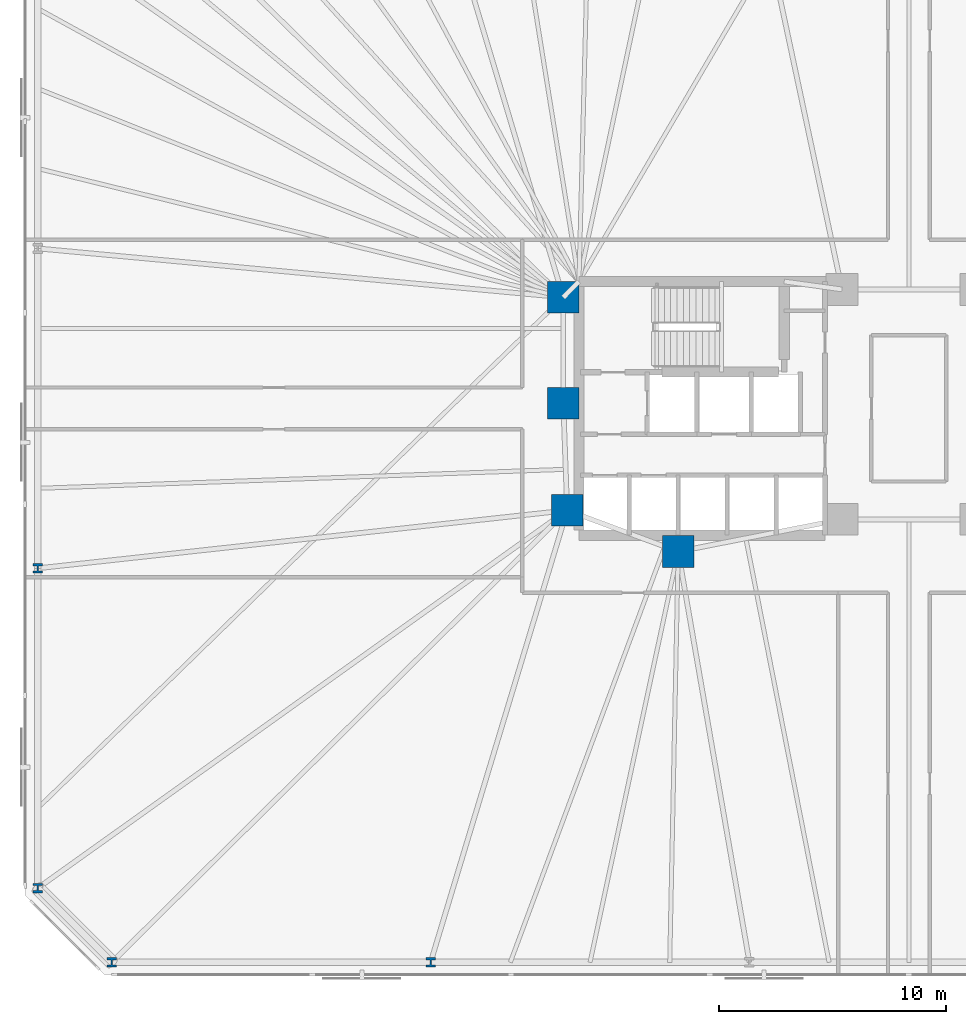
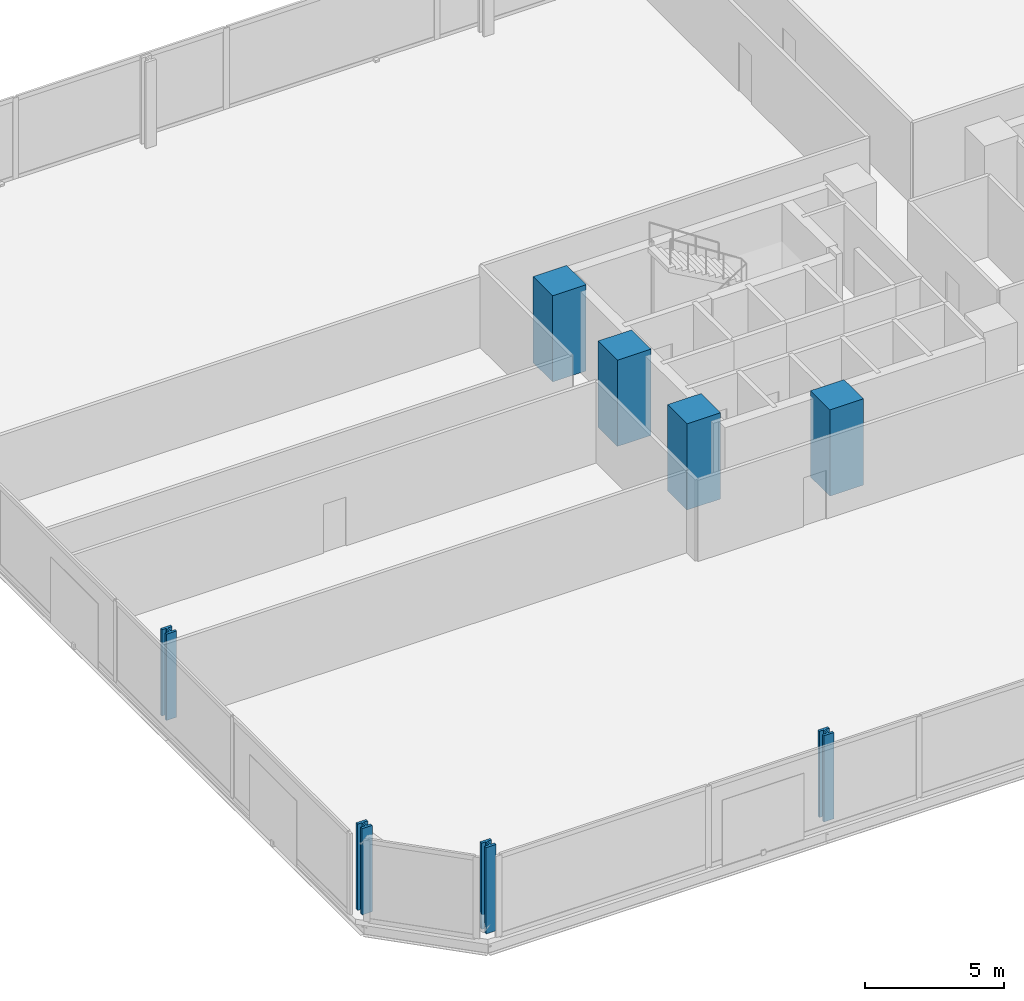
# One storey, part 1 of 16: 8 columns.
"""IFC4 building model written with IfcOpenShell, lengths in metres."""

from ifc_helpers import new_model, si_unit, direction, frame, origin, origin_2d, place, context, subcontext, project, spatial, rectangle, i_section, extrude, material, material_profile, profile_set, type_object, element, save


model = new_model("IFC4")

# Units and contexts
model_context = context("Model", 3, precision=1e-05, world=origin(), true_north=direction((0.0, 1.0)))
body_context = subcontext(model_context, "Body", "Model", "MODEL_VIEW")
ifc_project = project(units=[si_unit("LENGTHUNIT", "METRE"), si_unit("AREAUNIT", "SQUARE_METRE"), si_unit("VOLUMEUNIT", "CUBIC_METRE"), si_unit("PLANEANGLEUNIT", "RADIAN"), si_unit("MASSUNIT", "GRAM", prefix="KILO")], contexts=[model_context])

# Site, building, storey
site_placement = place(None, origin())
site = spatial("IfcSite", under=ifc_project, at=site_placement, CompositionType="ELEMENT")
building_placement = place(site_placement, origin())
building = spatial("IfcBuilding", under=site, at=building_placement, Name="Menara Jurai Vektor", CompositionType="ELEMENT")
storey_placement = place(building_placement, frame((0.0, 0.0, 40.800048828125)))
storey = spatial("IfcBuildingStorey", under=building, at=storey_placement, Name="L09", CompositionType="ELEMENT", Elevation=40.800048828125)

# Columns
ifc_material_1 = material(Name="Concrete C60/75", Category="concrete")
ifc_material_profile_1 = material_profile(ifc_material_1, rectangle(XDim=1.39990234375, YDim=1.39990234375, at=origin_2d()), Name="RC 1400x1400")
ifc_profile_set_1 = profile_set([ifc_material_profile_1], Name="Concrete C60/75")
column_type_1 = type_object("IfcColumnType", Name="STR-COL-RC1400", PredefinedType="COLUMN", material=ifc_profile_set_1)
for number, where, z_axis, x_axis, name in (
    (1, (-15.25, 4.89990234375, 0.0), (0.0, 0.0, 1.0), (1.0, 0.0, 0.0), "Core Spine Column CW-NW L09"),
    (2, (-15.25, 0.219970703125, 0.0), (0.0, 0.0, 1.0), (1.0, 0.0, 0.0), "Core Spine Column CW-WM L09"),
    (3, (-15.080078125, -4.5, 0.0), (0.0, 0.0, 1.0), (1.0, 0.0, 0.0), "Core Spine Column CW-SW L09"),
    (4, (-10.179931640625, -6.320068359375, 0.0), (0.0, 0.0, 1.0), (1.0, 0.0, 0.0), "Core Spine Column CW-SM L09"),
):
    element("IfcColumn", number, at=place(storey_placement, frame(where, z_axis=z_axis, x_axis=x_axis)), inside=storey, type_object=column_type_1, Name=name, PredefinedType="COLUMN", context=body_context, shape_type="SweptSolid", body=[
        extrude(rectangle(XDim=1.39990234375, YDim=1.39990234375, at=origin_2d()), origin(), (0.0, 0.0, 1.0), 3.800048828125),
    ])
ifc_material_2 = material(Name="Steel S460", Category="steel")
ifc_material_profile_2 = material_profile(ifc_material_2, i_section(OverallWidth=0.419921875, OverallDepth=0.430908203125, WebThickness=0.06494140625, FlangeThickness=0.10595703125, FilletRadius=0.014892578125, at=origin_2d()), Name="HD 400x900")
ifc_profile_set_2 = profile_set([ifc_material_profile_2], Name="Steel S460")
column_type_2 = type_object("IfcColumnType", Name="STR-EXO-BLK1", PredefinedType="COLUMN", material=ifc_profile_set_2)
for number, where, z_axis, x_axis, name in (
    (5, (-35.177734375, -24.449951171875, 0.0), (0.0, 0.0, 1.0), (1.0, 0.0, 0.0), "Exoskeleton Column BLK1-S1 L09"),
    (6, (-21.106689453125, -24.449951171875, 0.0), (0.0, 0.0, 1.0), (1.0, 0.0, 0.0), "Exoskeleton Column BLK1-S2 L09"),
    (7, (-38.449951171875, -7.059326171875, 0.0), (0.0, 0.0, 1.0), (1.0, 0.0, 0.0), "Exoskeleton Column BLK1-W3 L09"),
    (8, (-38.449951171875, -21.177734375, 0.0), (0.0, 0.0, 1.0), (1.0, 0.0, 0.0), "Exoskeleton Column BLK1-W4 L09"),
):
    element("IfcColumn", number, at=place(storey_placement, frame(where, z_axis=z_axis, x_axis=x_axis)), inside=storey, type_object=column_type_2, Name=name, PredefinedType="COLUMN", context=body_context, shape_type="SweptSolid", body=[
        extrude(i_section(OverallWidth=0.419921875, OverallDepth=0.430908203125, WebThickness=0.06494140625, FlangeThickness=0.10595703125, FilletRadius=0.014892578125, at=origin_2d()), origin(), (0.0, 0.0, 1.0), 3.800048828125),
    ])

save(model, "model.ifc")
